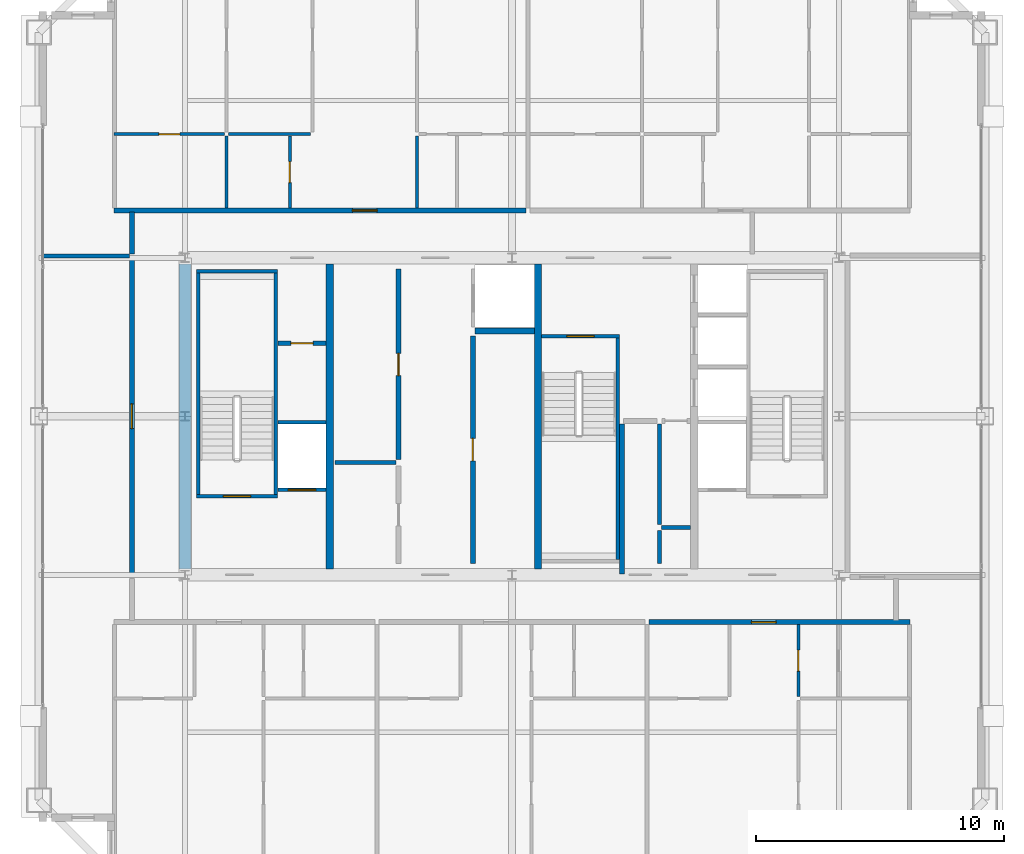
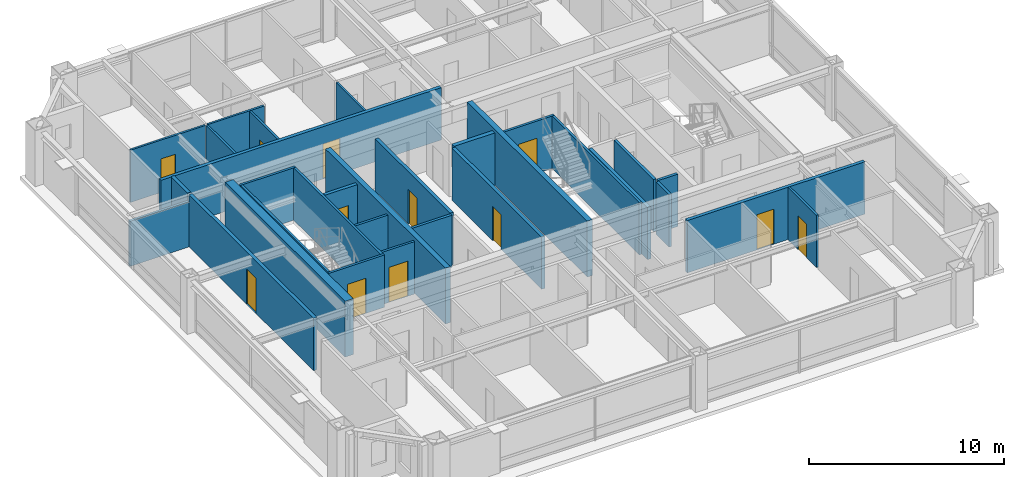
# One storey, part 31 of 35: 31 walls, 12 doors, 12 openings.
"""IFC4 building model written with IfcOpenShell, lengths in metres."""

from ifc_helpers import new_model, si_unit, direction, frame, frame_2d, origin, place, context, subcontext, project, spatial, rectangle, extrude, source, transform, mapped, material, layer, layer_set, type_object, element, fill, save


model = new_model("IFC4")

# Units and contexts
model_context = context("Model", 3, precision=1e-05, world=origin(), true_north=direction((0.0, 1.0)))
body_context = subcontext(model_context, "Body", "Model", "MODEL_VIEW")
ifc_project = project(units=[si_unit("LENGTHUNIT", "METRE"), si_unit("AREAUNIT", "SQUARE_METRE"), si_unit("VOLUMEUNIT", "CUBIC_METRE"), si_unit("PLANEANGLEUNIT", "RADIAN"), si_unit("MASSUNIT", "GRAM", prefix="KILO"), si_unit("THERMODYNAMICTEMPERATUREUNIT", "KELVIN"), si_unit("POWERUNIT", "WATT")], contexts=[model_context])

# Site, building, storey
site_placement = place(None, origin())
site = spatial("IfcSite", under=ifc_project, at=site_placement, CompositionType="ELEMENT")
building_placement = place(site_placement, origin())
building = spatial("IfcBuilding", under=site, at=building_placement, Name="Yuzanri Waterfront Tower", CompositionType="ELEMENT")
storey_placement = place(building_placement, frame((0.0, 0.0, 289.10009765625)))
storey = spatial("IfcBuildingStorey", under=building, at=storey_placement, Name="L77", CompositionType="ELEMENT", Elevation=289.10009765625)

# Wall, opening, door
ifc_material_1 = material(Name="Moisture-Resistant Gypsum Stud Wall", Category="gypsum")
ifc_layer_1 = layer(ifc_material_1, 0.1201171875)
ifc_layer_set_1 = layer_set([ifc_layer_1], Name="Moisture-Resistant Gypsum Stud Wall")
wall_type_1 = type_object("IfcWallType", Name="Bathroom and Kitchen Wet Partition 120", PredefinedType="PARTITIONING", material=ifc_layer_set_1)
wall_1_placement = place(storey_placement, frame((48.56201171875, 14.489990234375, 0.0), z_axis=(0.0, 0.0, 1.0), x_axis=(0.0, 1.0, 0.0)))
wall_1 = element("IfcWall", 1, at=wall_1_placement, inside=storey, type_object=wall_type_1, Name="L77 Partition UW-L77-HS3-SUB-4-W", PredefinedType="PARTITIONING", context=body_context, shape_type="SweptSolid", body=[
    extrude(rectangle(XDim=2.89990234375, YDim=0.1201171875, at=frame_2d((1.449951171875, 0.0))), origin(), (0.0, 0.0, 1.0), 3.27978515625),
])
opening_1_placement = place(wall_1_placement, frame((1.02490234375, 0.0, 0.0)))
opening_1 = element("IfcOpeningElement", 2, at=opening_1_placement, cuts=wall_1, Name="Opening ID-0850", PredefinedType="OPENING", context=body_context, shape_type="SweptSolid", body=[
    extrude(rectangle(XDim=0.85009765625, YDim=2.10009765625, at=frame_2d((0.425048828125, 1.050048828125))), frame((0.0, 0.074951171875, 0.0), z_axis=(0.0, -1.0, 0.0), x_axis=(1.0, 0.0, 0.0)), (0.0, 0.0, 1.0), 0.14990234375),
])
ifc_material_2 = material(Name="Moisture-Resistant Lacquered Timber", Category="wood")
door_type_1 = type_object("IfcDoorType", Name="En-Suite Bathroom and Kitchen Swing Door 850x2100", OperationType="NOTDEFINED", PredefinedType="DOOR", material=ifc_material_2)
shared_shape_1 = source(origin(), body_context, "Body", "SweptSolid", [
    extrude(rectangle(XDim=0.85009765625, YDim=2.10009765625, at=frame_2d((0.425048828125, 1.050048828125))), frame((0.0, 0.02490234375, 0.0), z_axis=(0.0, -1.0, 0.0), x_axis=(1.0, 0.0, 0.0)), (0.0, 0.0, 1.0), 0.050048828125),
])
door_1_placement = place(opening_1_placement, origin())
door_1 = element("IfcDoor", 3, at=door_1_placement, inside=storey, type_object=door_type_1, Name="L77 Suite Interior Room Door", OperationType="SINGLE_SWING_LEFT", OverallHeight=2.10009765625, OverallWidth=0.85009765625, PredefinedType="DOOR", context=body_context, shape_type="MappedRepresentation", body=[
    mapped(shared_shape_1, transform((0.0, 0.0, 0.0), scale=1.0)),
])
fill(opening_1, door_1)

wall_2_placement = place(storey_placement, frame((20.93994140625, 37.18994140625, 0.0), z_axis=(0.0, 0.0, 1.0), x_axis=(1.0, 0.0, 0.0)))
wall_2 = element("IfcWall", 4, at=wall_2_placement, inside=storey, type_object=wall_type_1, Name="L77 Partition UW-L77-HN1-SUB-1-N", PredefinedType="PARTITIONING", context=body_context, shape_type="SweptSolid", body=[
    extrude(rectangle(XDim=4.449951171875, YDim=0.1201171875, at=frame_2d((2.22509765625, 0.0))), origin(), (0.0, 0.0, 1.0), 3.27978515625),
])
opening_2_placement = place(wall_2_placement, frame((1.800048828125, 0.0, 0.0)))
opening_2 = element("IfcOpeningElement", 5, at=opening_2_placement, cuts=wall_2, Name="Opening ID-0850", PredefinedType="OPENING", context=body_context, shape_type="SweptSolid", body=[
    extrude(rectangle(XDim=0.85009765625, YDim=2.10009765625, at=frame_2d((0.425048828125, 1.050048828125))), frame((0.0, 0.074951171875, 0.0), z_axis=(0.0, -1.0, 0.0), x_axis=(1.0, 0.0, 0.0)), (0.0, 0.0, 1.0), 0.14990234375),
])
door_2_placement = place(opening_2_placement, origin())
door_2 = element("IfcDoor", 6, at=door_2_placement, inside=storey, type_object=door_type_1, Name="L77 Suite Interior Room Door", OperationType="SINGLE_SWING_LEFT", OverallHeight=2.10009765625, OverallWidth=0.85009765625, PredefinedType="DOOR", context=body_context, shape_type="MappedRepresentation", body=[
    mapped(shared_shape_1, transform((0.0, 0.0, 0.0), scale=1.0)),
])
fill(opening_2, door_2)

wall_3_placement = place(storey_placement, frame((28.030029296875, 34.2099609375, 0.0), z_axis=(0.0, 0.0, 1.0), x_axis=(0.0, 1.0, 0.0)))
wall_3 = element("IfcWall", 7, at=wall_3_placement, inside=storey, type_object=wall_type_1, Name="L77 Partition UW-L77-HN1-SUB-2-E", PredefinedType="PARTITIONING", context=body_context, shape_type="SweptSolid", body=[
    extrude(rectangle(XDim=2.900146484375, YDim=0.1201171875, at=frame_2d((1.4501953125, 0.0))), origin(), (0.0, 0.0, 1.0), 3.27978515625),
])
opening_3_placement = place(wall_3_placement, frame((1.02490234375, 0.0, 0.0)))
opening_3 = element("IfcOpeningElement", 8, at=opening_3_placement, cuts=wall_3, Name="Opening ID-0850", PredefinedType="OPENING", context=body_context, shape_type="SweptSolid", body=[
    extrude(rectangle(XDim=0.85009765625, YDim=2.10009765625, at=frame_2d((0.425048828125, 1.050048828125))), frame((0.0, 0.074951171875, 0.0), z_axis=(0.0, -1.0, 0.0), x_axis=(1.0, 0.0, 0.0)), (0.0, 0.0, 1.0), 0.14990234375),
])
door_3_placement = place(opening_3_placement, origin())
door_3 = element("IfcDoor", 9, at=door_3_placement, inside=storey, type_object=door_type_1, Name="L77 Suite Interior Room Door", OperationType="SINGLE_SWING_RIGHT", OverallHeight=2.10009765625, OverallWidth=0.85009765625, PredefinedType="DOOR", context=body_context, shape_type="MappedRepresentation", body=[
    mapped(shared_shape_1, transform((0.0, 0.0, 0.0), scale=1.0)),
])
fill(opening_3, door_3)

ifc_material_3 = material(Name="Concrete C40", Category="concrete")
ifc_layer_2 = layer(ifc_material_3, 0.139892578125)
ifc_layer_set_2 = layer_set([ifc_layer_2], Name="Concrete C40")
wall_type_2 = type_object("IfcWallType", Name="Core Stair Liner and Hoistway Shaft Wall 140", PredefinedType="SOLIDWALL", material=ifc_layer_set_2)
wall_4_placement = place(storey_placement, frame((27.56005859375, 22.830078125, 0.0), z_axis=(0.0, 0.0, 1.0), x_axis=(1.0, 0.0, 0.0)))
wall_4 = element("IfcWall", 10, at=wall_4_placement, inside=storey, type_object=wall_type_2, Name="L77 Lift FL-01 Front Shaft Wall", PredefinedType="SOLIDWALL", context=body_context, shape_type="SweptSolid", body=[
    extrude(rectangle(XDim=1.919921875, YDim=0.139892578125, at=frame_2d((0.9599609375, 0.0))), origin(), (0.0, 0.0, 1.0), 3.27978515625),
])
opening_4_placement = place(wall_4_placement, frame((0.409912109375, 0.0, 0.0)))
opening_4 = element("IfcOpeningElement", 11, at=opening_4_placement, cuts=wall_4, Name="Opening LD-FL-01", PredefinedType="OPENING", context=body_context, shape_type="SweptSolid", body=[
    extrude(rectangle(XDim=1.10009765625, YDim=2.199951171875, at=frame_2d((0.550048828125, 1.10009765625))), frame((0.0, 0.0849609375, 0.0), z_axis=(0.0, -1.0, 0.0), x_axis=(1.0, 0.0, 0.0)), (0.0, 0.0, 1.0), 0.169677734375),
])
ifc_material_4 = material(Name="Brushed Bronze and Stainless Steel Cab", Category="steel")
door_type_2 = type_object("IfcDoorType", Name="Center-Parting Bronze Lift Landing Sliding Door 1100x2200", OperationType="NOTDEFINED", PredefinedType="DOOR", material=ifc_material_4)
shared_shape_2 = source(origin(), body_context, "Body", "SweptSolid", [
    extrude(rectangle(XDim=1.10009765625, YDim=2.199951171875, at=frame_2d((0.550048828125, 1.10009765625))), frame((0.0, 0.02490234375, 0.0), z_axis=(0.0, -1.0, 0.0), x_axis=(1.0, 0.0, 0.0)), (0.0, 0.0, 1.0), 0.050048828125),
])
door_4_placement = place(opening_4_placement, origin())
door_4 = element("IfcDoor", 12, at=door_4_placement, inside=storey, type_object=door_type_2, Name="L77 FL-01 Lift Landing Sliding Door", OperationType="SLIDING_TO_LEFT", OverallHeight=2.199951171875, OverallWidth=1.10009765625, PredefinedType="DOOR", context=body_context, shape_type="MappedRepresentation", body=[
    mapped(shared_shape_2, transform((0.0, 0.0, 0.0), scale=1.0)),
])
fill(opening_4, door_4)

wall_5_placement = place(storey_placement, frame((24.260009765625, 22.570068359375, 0.0), z_axis=(0.0, 0.0, 1.0), x_axis=(1.0, 0.0, 0.0)))
wall_5 = element("IfcWall", 13, at=wall_5_placement, inside=storey, type_object=wall_type_2, Name="L77 Shaft Wall STW-L77-ST-01-S", PredefinedType="SOLIDWALL", context=body_context, shape_type="SweptSolid", body=[
    extrude(rectangle(XDim=3.280029296875, YDim=0.139892578125, at=frame_2d((1.64013671875, 0.0))), origin(), (0.0, 0.0, 1.0), 3.27978515625),
])
opening_5_placement = place(wall_5_placement, frame((1.090087890625, 0.0, 0.0)))
opening_5 = element("IfcOpeningElement", 14, at=opening_5_placement, cuts=wall_5, Name="Opening FD-1100", PredefinedType="OPENING", context=body_context, shape_type="SweptSolid", body=[
    extrude(rectangle(XDim=1.10009765625, YDim=2.199951171875, at=frame_2d((0.550048828125, 1.10009765625))), frame((0.0, 0.0849609375, 0.0), z_axis=(0.0, -1.0, 0.0), x_axis=(1.0, 0.0, 0.0)), (0.0, 0.0, 1.0), 0.169677734375),
])
ifc_material_5 = material(Name="Painted Galvanized Fire Steel", Category="steel")
door_type_3 = type_object("IfcDoorType", Name="Smoke-Proof Stair and Lobby Fire Door 1100x2200", OperationType="NOTDEFINED", PredefinedType="DOOR", material=ifc_material_5)
shared_shape_3 = source(origin(), body_context, "Body", "SweptSolid", [
    extrude(rectangle(XDim=1.10009765625, YDim=2.199951171875, at=frame_2d((0.550048828125, 1.10009765625))), frame((0.0, 0.02490234375, 0.0), z_axis=(0.0, -1.0, 0.0), x_axis=(1.0, 0.0, 0.0)), (0.0, 0.0, 1.0), 0.050048828125),
])
door_5_placement = place(opening_5_placement, origin())
door_5 = element("IfcDoor", 15, at=door_5_placement, inside=storey, type_object=door_type_3, Name="L77 Stair ST-01 Fire Door", OperationType="SINGLE_SWING_RIGHT", OverallHeight=2.199951171875, OverallWidth=1.10009765625, PredefinedType="DOOR", context=body_context, shape_type="MappedRepresentation", body=[
    mapped(shared_shape_3, transform((0.0, 0.0, 0.0), scale=1.0)),
])
fill(opening_5, door_5)

wall_6_placement = place(storey_placement, frame((38.199951171875, 29.030029296875, 0.0), z_axis=(0.0, 0.0, 1.0), x_axis=(1.0, 0.0, 0.0)))
wall_6 = element("IfcWall", 16, at=wall_6_placement, inside=storey, type_object=wall_type_2, Name="L77 Shaft Wall STW-L77-ST-03-N", PredefinedType="SOLIDWALL", context=body_context, shape_type="SweptSolid", body=[
    extrude(rectangle(XDim=3.14013671875, YDim=0.139892578125, at=frame_2d((1.570068359375, 0.0))), origin(), (0.0, 0.0, 1.0), 3.27978515625),
])
opening_6_placement = place(wall_6_placement, frame((1.02001953125, 0.0, 0.0)))
opening_6 = element("IfcOpeningElement", 17, at=opening_6_placement, cuts=wall_6, Name="Opening FD-1100", PredefinedType="OPENING", context=body_context, shape_type="SweptSolid", body=[
    extrude(rectangle(XDim=1.10009765625, YDim=2.199951171875, at=frame_2d((0.550048828125, 1.10009765625))), frame((0.0, 0.0849609375, 0.0), z_axis=(0.0, -1.0, 0.0), x_axis=(1.0, 0.0, 0.0)), (0.0, 0.0, 1.0), 0.169677734375),
])
door_6_placement = place(opening_6_placement, origin())
door_6 = element("IfcDoor", 18, at=door_6_placement, inside=storey, type_object=door_type_3, Name="L77 Stair ST-03 Fire Door", OperationType="SINGLE_SWING_RIGHT", OverallHeight=2.199951171875, OverallWidth=1.10009765625, PredefinedType="DOOR", context=body_context, shape_type="MappedRepresentation", body=[
    mapped(shared_shape_3, transform((0.0, 0.0, 0.0), scale=1.0)),
])
fill(opening_6, door_6)

ifc_material_6 = material(Name="Autoclaved Aerated Concrete Blockwork", Category="masonry")
ifc_layer_3 = layer(ifc_material_6, 0.199951171875)
ifc_layer_set_3 = layer_set([ifc_layer_3], Name="Autoclaved Aerated Concrete Blockwork")
wall_type_3 = type_object("IfcWallType", Name="Corridor and Unit Party Fire Wall 200", PredefinedType="PARTITIONING", material=ifc_layer_set_3)
wall_7_placement = place(storey_placement, frame((27.56005859375, 28.75, 0.0), z_axis=(0.0, 0.0, 1.0), x_axis=(1.0, 0.0, 0.0)))
wall_7 = element("IfcWall", 19, at=wall_7_placement, inside=storey, type_object=wall_type_3, Name="L77 Partition CRW-L77-ERTR", PredefinedType="PARTITIONING", context=body_context, shape_type="SweptSolid", body=[
    extrude(rectangle(XDim=1.919921875, YDim=0.199951171875, at=frame_2d((0.9599609375, 0.0))), origin(), (0.0, 0.0, 1.0), 3.27978515625),
])
opening_7_placement = place(wall_7_placement, frame((0.510009765625, 0.0, 0.0)))
opening_7 = element("IfcOpeningElement", 20, at=opening_7_placement, cuts=wall_7, Name="Opening FD-0900", PredefinedType="OPENING", context=body_context, shape_type="SweptSolid", body=[
    extrude(rectangle(XDim=0.89990234375, YDim=2.14990234375, at=frame_2d((0.449951171875, 1.074951171875))), frame((0.0, 0.11474609375, 0.0), z_axis=(0.0, -1.0, 0.0), x_axis=(1.0, 0.0, 0.0)), (0.0, 0.0, 1.0), 0.229736328125),
])
ifc_material_7 = material(Name="Painted Galvanized Fire Steel", Category="steel")
door_type_4 = type_object("IfcDoorType", Name="Riser and Service Room Fire Door 900x2150", OperationType="NOTDEFINED", PredefinedType="DOOR", material=ifc_material_7)
shared_shape_4 = source(origin(), body_context, "Body", "SweptSolid", [
    extrude(rectangle(XDim=0.89990234375, YDim=2.14990234375, at=frame_2d((0.449951171875, 1.074951171875))), frame((0.0, 0.02490234375, 0.0), z_axis=(0.0, -1.0, 0.0), x_axis=(1.0, 0.0, 0.0)), (0.0, 0.0, 1.0), 0.050048828125),
])
door_7_placement = place(opening_7_placement, origin())
door_7 = element("IfcDoor", 21, at=door_7_placement, inside=storey, type_object=door_type_4, Name="L77 Electrical Riser Door", OperationType="SINGLE_SWING_RIGHT", OverallHeight=2.14990234375, OverallWidth=0.89990234375, PredefinedType="DOOR", context=body_context, shape_type="MappedRepresentation", body=[
    mapped(shared_shape_4, transform((0.0, 0.0, 0.0), scale=1.0)),
])
fill(opening_7, door_7)

wall_8_placement = place(storey_placement, frame((32.419921875, 24.050048828125, 0.0), z_axis=(0.0, 0.0, 1.0), x_axis=(0.0, 1.0, 0.0)))
wall_8 = element("IfcWall", 22, at=wall_8_placement, inside=storey, type_object=wall_type_3, Name="L77 Partition CRW-L77-B1R-2", PredefinedType="PARTITIONING", context=body_context, shape_type="SweptSolid", body=[
    extrude(rectangle(XDim=7.68994140625, YDim=0.199951171875, at=frame_2d((3.844970703125, 0.0))), origin(), (0.0, 0.0, 1.0), 3.27978515625),
])
opening_8_placement = place(wall_8_placement, frame((3.39501953125, 0.0, 0.0)))
opening_8 = element("IfcOpeningElement", 23, at=opening_8_placement, cuts=wall_8, Name="Opening FD-0900", PredefinedType="OPENING", context=body_context, shape_type="SweptSolid", body=[
    extrude(rectangle(XDim=0.89990234375, YDim=2.14990234375, at=frame_2d((0.449951171875, 1.074951171875))), frame((0.0, 0.11474609375, 0.0), z_axis=(0.0, -1.0, 0.0), x_axis=(1.0, 0.0, 0.0)), (0.0, 0.0, 1.0), 0.229736328125),
])
door_8_placement = place(opening_8_placement, origin())
door_8 = element("IfcDoor", 24, at=door_8_placement, inside=storey, type_object=door_type_4, Name="L77 Common Store Room", OperationType="SINGLE_SWING_RIGHT", OverallHeight=2.14990234375, OverallWidth=0.89990234375, PredefinedType="DOOR", context=body_context, shape_type="MappedRepresentation", body=[
    mapped(shared_shape_4, transform((0.0, 0.0, 0.0), scale=1.0)),
])
fill(opening_8, door_8)

wall_9_placement = place(storey_placement, frame((35.419921875, 19.860107421875, 0.0), z_axis=(0.0, 0.0, 1.0), x_axis=(0.0, 1.0, 0.0)))
wall_9 = element("IfcWall", 25, at=wall_9_placement, inside=storey, type_object=wall_type_3, Name="L77 Partition CRW-L77-B2R-1", PredefinedType="PARTITIONING", context=body_context, shape_type="SweptSolid", body=[
    extrude(rectangle(XDim=9.18994140625, YDim=0.199951171875, at=frame_2d((4.594970703125, 0.0))), origin(), (0.0, 0.0, 1.0), 3.27978515625),
])
opening_9_placement = place(wall_9_placement, frame((4.14501953125, 0.0, 0.0)))
opening_9 = element("IfcOpeningElement", 26, at=opening_9_placement, cuts=wall_9, Name="Opening FD-0900", PredefinedType="OPENING", context=body_context, shape_type="SweptSolid", body=[
    extrude(rectangle(XDim=0.89990234375, YDim=2.14990234375, at=frame_2d((0.449951171875, 1.074951171875))), frame((0.0, 0.11474609375, 0.0), z_axis=(0.0, -1.0, 0.0), x_axis=(1.0, 0.0, 0.0)), (0.0, 0.0, 1.0), 0.229736328125),
])
door_9_placement = place(opening_9_placement, origin())
door_9 = element("IfcDoor", 27, at=door_9_placement, inside=storey, type_object=door_type_4, Name="L77 Upper General Store Room", OperationType="SINGLE_SWING_LEFT", OverallHeight=2.14990234375, OverallWidth=0.89990234375, PredefinedType="DOOR", context=body_context, shape_type="MappedRepresentation", body=[
    mapped(shared_shape_4, transform((0.0, 0.0, 0.0), scale=1.0)),
])
fill(opening_9, door_9)

wall_10_placement = place(storey_placement, frame((42.5400390625, 17.489990234375, 0.0), z_axis=(0.0, 0.0, 1.0), x_axis=(1.0, 0.0, 0.0)))
wall_10 = element("IfcWall", 28, at=wall_10_placement, inside=storey, type_object=wall_type_3, Name="L77 Partition UW-L77-HS3-CN", PredefinedType="PARTITIONING", context=body_context, shape_type="SweptSolid", body=[
    extrude(rectangle(XDim=10.52001953125, YDim=0.199951171875, at=frame_2d((5.260009765625, 0.0))), origin(), (0.0, 0.0, 1.0), 3.27978515625),
])
opening_10_placement = place(wall_10_placement, frame((4.12890625, 0.0, 0.0)))
opening_10 = element("IfcOpeningElement", 29, at=opening_10_placement, cuts=wall_10, Name="Opening FD-1000", PredefinedType="OPENING", context=body_context, shape_type="SweptSolid", body=[
    extrude(rectangle(XDim=1.0, YDim=2.199951171875, at=frame_2d((0.5, 1.10009765625))), frame((0.0, 0.11474609375, 0.0), z_axis=(0.0, -1.0, 0.0), x_axis=(1.0, 0.0, 0.0)), (0.0, 0.0, 1.0), 0.229736328125),
])
ifc_material_8 = material(Name="Engineered Oak Fire-Rated Timber", Category="wood")
door_type_5 = type_object("IfcDoorType", Name="Guestroom and Apartment Entrance Fire Door 1000x2200", OperationType="NOTDEFINED", PredefinedType="DOOR", material=ifc_material_8)
shared_shape_5 = source(origin(), body_context, "Body", "SweptSolid", [
    extrude(rectangle(XDim=1.0, YDim=2.199951171875, at=frame_2d((0.5, 1.10009765625))), frame((0.0, 0.02490234375, 0.0), z_axis=(0.0, -1.0, 0.0), x_axis=(1.0, 0.0, 0.0)), (0.0, 0.0, 1.0), 0.050048828125),
])
door_10_placement = place(opening_10_placement, origin())
door_10 = element("IfcDoor", 30, at=door_10_placement, inside=storey, type_object=door_type_5, Name="L77 Apartment Living Room Entrance Door", OperationType="SINGLE_SWING_LEFT", OverallHeight=2.199951171875, OverallWidth=1.0, PredefinedType="DOOR", context=body_context, shape_type="MappedRepresentation", body=[
    mapped(shared_shape_5, transform((0.0, 0.0, 0.0), scale=1.0)),
])
fill(opening_10, door_10)

wall_11_placement = place(storey_placement, frame((20.93994140625, 34.110107421875, 0.0), z_axis=(0.0, 0.0, 1.0), x_axis=(1.0, 0.0, 0.0)))
wall_11 = element("IfcWall", 31, at=wall_11_placement, inside=storey, type_object=wall_type_3, Name="L77 Partition UW-L77-HN1-CS", PredefinedType="PARTITIONING", context=body_context, shape_type="SweptSolid", body=[
    extrude(rectangle(XDim=16.6220703125, YDim=0.199951171875, at=frame_2d((8.31103515625, 0.0))), origin(), (0.0, 0.0, 1.0), 3.27978515625),
])
opening_11_placement = place(wall_11_placement, frame((9.611083984375, 0.0, 0.0)))
opening_11 = element("IfcOpeningElement", 32, at=opening_11_placement, cuts=wall_11, Name="Opening FD-1000", PredefinedType="OPENING", context=body_context, shape_type="SweptSolid", body=[
    extrude(rectangle(XDim=1.0, YDim=2.199951171875, at=frame_2d((0.5, 1.10009765625))), frame((0.0, 0.11474609375, 0.0), z_axis=(0.0, -1.0, 0.0), x_axis=(1.0, 0.0, 0.0)), (0.0, 0.0, 1.0), 0.229736328125),
])
door_11_placement = place(opening_11_placement, origin())
door_11 = element("IfcDoor", 33, at=door_11_placement, inside=storey, type_object=door_type_5, Name="L77 Apartment Living and Dining Salon Entrance Door", OperationType="SINGLE_SWING_RIGHT", OverallHeight=2.199951171875, OverallWidth=1.0, PredefinedType="DOOR", context=body_context, shape_type="MappedRepresentation", body=[
    mapped(shared_shape_5, transform((0.0, 0.0, 0.0), scale=1.0)),
])
fill(opening_11, door_11)

wall_12_placement = place(storey_placement, frame((21.64990234375, 19.409912109375, 0.0), z_axis=(0.0, 0.0, 1.0), x_axis=(0.0, 1.0, 0.0)))
wall_12 = element("IfcWall", 34, at=wall_12_placement, inside=storey, type_object=wall_type_3, Name="L77 Partition UW-L77-050-CW", PredefinedType="PARTITIONING", context=body_context, shape_type="SweptSolid", body=[
    extrude(rectangle(XDim=12.780029296875, YDim=0.199951171875, at=frame_2d((6.39013671875, 0.0))), origin(), (0.0, 0.0, 1.0), 3.27978515625),
])
opening_12_placement = place(wall_12_placement, frame((5.889892578125, 0.0, 0.0)))
opening_12 = element("IfcOpeningElement", 35, at=opening_12_placement, cuts=wall_12, Name="Opening FD-1000", PredefinedType="OPENING", context=body_context, shape_type="SweptSolid", body=[
    extrude(rectangle(XDim=1.0, YDim=2.199951171875, at=frame_2d((0.5, 1.10009765625))), frame((0.0, 0.11474609375, 0.0), z_axis=(0.0, -1.0, 0.0), x_axis=(1.0, 0.0, 0.0)), (0.0, 0.0, 1.0), 0.229736328125),
])
door_12_placement = place(opening_12_placement, origin())
door_12 = element("IfcDoor", 36, at=door_12_placement, inside=storey, type_object=door_type_5, Name="L77 High-Rise W Boardroom Meeting Room Entrance Door", OperationType="SINGLE_SWING_LEFT", OverallHeight=2.199951171875, OverallWidth=1.0, PredefinedType="DOOR", context=body_context, shape_type="MappedRepresentation", body=[
    mapped(shared_shape_5, transform((0.0, 0.0, 0.0), scale=1.0)),
])
fill(opening_12, door_12)

# Walls
ifc_material_9 = material(Name="Concrete C45", Category="concrete")
ifc_layer_4 = layer(ifc_material_9, 0.47998046875)
ifc_layer_set_4 = layer_set([ifc_layer_4], Name="Concrete C45")
wall_type_4 = type_object("IfcWallType", Name="Concrete C45 High-Rise Core Shear Wall 480", PredefinedType="SHEAR", material=ifc_layer_set_4)
shared_shape_6 = source(origin(), body_context, "Body", "SweptSolid", [
    extrude(rectangle(XDim=12.320068359375, YDim=0.47998046875, at=frame_2d((6.16015625, 0.0))), origin(), (0.0, 0.0, 1.0), 3.5),
])
wall_13_placement = place(storey_placement, frame((23.800048828125, 19.639892578125, 0.0), z_axis=(0.0, 0.0, 1.0), x_axis=(0.0, 1.0, 0.0)))
element("IfcWall", 37, at=wall_13_placement, inside=storey, type_object=wall_type_4, Name="L77 Core West Shear Wall", PredefinedType="SHEAR", context=body_context, shape_type="MappedRepresentation", body=[
    mapped(shared_shape_6, transform((0.0, 0.0, 0.0), scale=1.0)),
])
ifc_material_10 = material(Name="Concrete C50", Category="concrete")
ifc_layer_5 = layer(ifc_material_10, 0.300048828125)
ifc_layer_set_5 = layer_set([ifc_layer_5], Name="Concrete C50")
wall_type_5 = type_object("IfcWallType", Name="Concrete C50 Internal Core Shaft Structural Wall 300", PredefinedType="SOLIDWALL", material=ifc_layer_set_5)
shared_shape_7 = source(origin(), body_context, "Body", "SweptSolid", [
    extrude(rectangle(XDim=12.320068359375, YDim=0.300048828125, at=frame_2d((6.16015625, 0.0))), origin(), (0.0, 0.0, 1.0), 3.5),
])
for number, where, z_axis, x_axis, name in (
    (38, (29.64990234375, 19.639892578125, 0.0), (0.0, 0.0, 1.0), (0.0, 1.0, 0.0), "L77 Core Internal Structural Web Wall 1"),
    (39, (38.050048828125, 19.639892578125, 0.0), (0.0, 0.0, 1.0), (0.0, 1.0, 0.0), "L77 Core Internal Structural Web Wall 2"),
):
    element("IfcWall", number, at=place(storey_placement, frame(where, z_axis=z_axis, x_axis=x_axis)), inside=storey, type_object=wall_type_5, Name=name, PredefinedType="SOLIDWALL", context=body_context, shape_type="MappedRepresentation", body=[
        mapped(shared_shape_7, transform((0.0, 0.0, 0.0), scale=1.0)),
    ])
shared_shape_8 = source(origin(), body_context, "Body", "SweptSolid", [
    extrude(rectangle(XDim=1.919921875, YDim=0.139892578125, at=frame_2d((0.9599609375, 0.0))), origin(), (0.0, 0.0, 1.0), 3.27978515625),
])
wall_14_placement = place(storey_placement, frame((27.56005859375, 25.570068359375, 0.0), z_axis=(0.0, 0.0, 1.0), x_axis=(1.0, 0.0, 0.0)))
element("IfcWall", 40, at=wall_14_placement, inside=storey, type_object=wall_type_2, Name="L77 Lift FL-01 Back Shaft Wall", PredefinedType="SOLIDWALL", context=body_context, shape_type="MappedRepresentation", body=[
    mapped(shared_shape_8, transform((0.0, 0.0, 0.0), scale=1.0)),
])
ifc_material_11 = material(Name="Concrete C40", Category="concrete")
ifc_layer_6 = layer(ifc_material_11, 0.25)
ifc_layer_set_6 = layer_set([ifc_layer_6], Name="Concrete C40")
wall_type_6 = type_object("IfcWallType", Name="Smoke-Proof Stair and Lift Shaft Wall 250", PredefinedType="SOLIDWALL", material=ifc_layer_set_6)
shared_shape_9 = source(origin(), body_context, "Body", "SweptSolid", [
    extrude(rectangle(XDim=2.39990234375, YDim=0.25, at=frame_2d((1.199951171875, 0.0))), origin(), (0.0, 0.0, 1.0), 3.27978515625),
])
wall_15_placement = place(storey_placement, frame((35.5, 29.25, 0.0), z_axis=(0.0, 0.0, 1.0), x_axis=(1.0, 0.0, 0.0)))
element("IfcWall", 41, at=wall_15_placement, inside=storey, type_object=wall_type_6, Name="L77 Lift SL-02 South Shaft Wall", PredefinedType="SOLIDWALL", context=body_context, shape_type="MappedRepresentation", body=[
    mapped(shared_shape_9, transform((0.0, 0.0, 0.0), scale=1.0)),
])
shared_shape_10 = source(origin(), body_context, "Body", "SweptSolid", [
    extrude(rectangle(XDim=3.280029296875, YDim=0.139892578125, at=frame_2d((1.64013671875, 0.0))), origin(), (0.0, 0.0, 1.0), 3.27978515625),
])
wall_16_placement = place(storey_placement, frame((24.260009765625, 31.64990234375, 0.0), z_axis=(0.0, 0.0, 1.0), x_axis=(1.0, 0.0, 0.0)))
element("IfcWall", 42, at=wall_16_placement, inside=storey, type_object=wall_type_2, Name="L77 Stair ST-01 North Shaft Wall", PredefinedType="SOLIDWALL", context=body_context, shape_type="MappedRepresentation", body=[
    mapped(shared_shape_10, transform((0.0, 0.0, 0.0), scale=1.0)),
])
shared_shape_11 = source(origin(), body_context, "Body", "SweptSolid", [
    extrude(rectangle(XDim=8.940185546875, YDim=0.139892578125, at=frame_2d((4.47021484375, 0.0))), origin(), (0.0, 0.0, 1.0), 3.27978515625),
])
for number, where, z_axis, x_axis, name in (
    (43, (24.330078125, 22.639892578125, 0.0), (0.0, 0.0, 1.0), (0.0, 1.0, 0.0), "L77 Stair ST-01 West Shaft Wall"),
    (44, (27.469970703125, 22.639892578125, 0.0), (0.0, 0.0, 1.0), (0.0, 1.0, 0.0), "L77 Stair ST-01 East Shaft Wall"),
):
    element("IfcWall", number, at=place(storey_placement, frame(where, z_axis=z_axis, x_axis=x_axis)), inside=storey, type_object=wall_type_2, Name=name, PredefinedType="SOLIDWALL", context=body_context, shape_type="MappedRepresentation", body=[
        mapped(shared_shape_11, transform((0.0, 0.0, 0.0), scale=1.0)),
    ])
shared_shape_12 = source(origin(), body_context, "Body", "SweptSolid", [
    extrude(rectangle(XDim=8.93994140625, YDim=0.139892578125, at=frame_2d((4.469970703125, 0.0))), origin(), (0.0, 0.0, 1.0), 3.27978515625),
])
wall_17_placement = place(storey_placement, frame((41.27001953125, 20.02001953125, 0.0), z_axis=(0.0, 0.0, 1.0), x_axis=(0.0, 1.0, 0.0)))
element("IfcWall", 45, at=wall_17_placement, inside=storey, type_object=wall_type_2, Name="L77 Stair ST-03 East Shaft Wall", PredefinedType="SOLIDWALL", context=body_context, shape_type="MappedRepresentation", body=[
    mapped(shared_shape_12, transform((0.0, 0.0, 0.0), scale=1.0)),
])
ifc_material_12 = material(Name="Gypsum Fireboard Acoustic Stud Wall", Category="gypsum")
ifc_layer_7 = layer(ifc_material_12, 0.159912109375)
ifc_layer_set_7 = layer_set([ifc_layer_7], Name="Gypsum Fireboard Acoustic Stud Wall")
wall_type_7 = type_object("IfcWallType", Name="Acoustic Suite Demising Partition 160", PredefinedType="PARTITIONING", material=ifc_layer_set_7)
shared_shape_13 = source(origin(), body_context, "Body", "SweptSolid", [
    extrude(rectangle(XDim=2.469970703125, YDim=0.159912109375, at=frame_2d((1.23486328125, 0.0))), origin(), (0.0, 0.0, 1.0), 3.27978515625),
])
wall_18_placement = place(storey_placement, frame((29.85009765625, 23.929931640625, 0.0), z_axis=(0.0, 0.0, 1.0), x_axis=(1.0, 0.0, 0.0)))
element("IfcWall", 46, at=wall_18_placement, inside=storey, type_object=wall_type_7, Name="L77 Reclaimed Core Divider 2", PredefinedType="PARTITIONING", context=body_context, shape_type="MappedRepresentation", body=[
    mapped(shared_shape_13, transform((0.0, 0.0, 0.0), scale=1.0)),
])
shared_shape_14 = source(origin(), body_context, "Body", "SweptSolid", [
    extrude(rectangle(XDim=1.33984375, YDim=0.159912109375, at=frame_2d((0.669921875, 0.0))), origin(), (0.0, 0.0, 1.0), 3.27978515625),
])
wall_19_placement = place(storey_placement, frame((42.949951171875, 19.860107421875, 0.0), z_axis=(0.0, 0.0, 1.0), x_axis=(0.0, 1.0, 0.0)))
element("IfcWall", 47, at=wall_19_placement, inside=storey, type_object=wall_type_7, Name="L77 East Wet Riser West Wall", PredefinedType="PARTITIONING", context=body_context, shape_type="MappedRepresentation", body=[
    mapped(shared_shape_14, transform((0.0, 0.0, 0.0), scale=1.0)),
])
shared_shape_15 = source(origin(), body_context, "Body", "SweptSolid", [
    extrude(rectangle(XDim=1.169921875, YDim=0.159912109375, at=frame_2d((0.5849609375, 0.0))), origin(), (0.0, 0.0, 1.0), 3.27978515625),
])
wall_20_placement = place(storey_placement, frame((43.030029296875, 21.320068359375, 0.0), z_axis=(0.0, 0.0, 1.0), x_axis=(1.0, 0.0, 0.0)))
element("IfcWall", 48, at=wall_20_placement, inside=storey, type_object=wall_type_7, Name="L77 East Wet Riser North Wall", PredefinedType="PARTITIONING", context=body_context, shape_type="MappedRepresentation", body=[
    mapped(shared_shape_15, transform((0.0, 0.0, 0.0), scale=1.0)),
])
shared_shape_16 = source(origin(), body_context, "Body", "SweptSolid", [
    extrude(rectangle(XDim=6.06005859375, YDim=0.199951171875, at=frame_2d((3.030029296875, 0.0))), origin(), (0.0, 0.0, 1.0), 3.27978515625),
])
wall_21_placement = place(storey_placement, frame((41.449951171875, 19.43994140625, 0.0), z_axis=(0.0, 0.0, 1.0), x_axis=(0.0, 1.0, 0.0)))
element("IfcWall", 49, at=wall_21_placement, inside=storey, type_object=wall_type_3, Name="L77 Core BOH West Wall 1", PredefinedType="PARTITIONING", context=body_context, shape_type="MappedRepresentation", body=[
    mapped(shared_shape_16, transform((0.0, 0.0, 0.0), scale=1.0)),
])
shared_shape_17 = source(origin(), body_context, "Body", "SweptSolid", [
    extrude(rectangle(XDim=4.06005859375, YDim=0.159912109375, at=frame_2d((2.030029296875, 0.0))), origin(), (0.0, 0.0, 1.0), 3.27978515625),
])
wall_22_placement = place(storey_placement, frame((42.949951171875, 21.43994140625, 0.0), z_axis=(0.0, 0.0, 1.0), x_axis=(0.0, 1.0, 0.0)))
element("IfcWall", 50, at=wall_22_placement, inside=storey, type_object=wall_type_7, Name="L77 Core BOH Mid Wall 2", PredefinedType="PARTITIONING", context=body_context, shape_type="MappedRepresentation", body=[
    mapped(shared_shape_17, transform((0.0, 0.0, 0.0), scale=1.0)),
])
shared_shape_18 = source(origin(), body_context, "Body", "SweptSolid", [
    extrude(rectangle(XDim=1.699951171875, YDim=0.199951171875, at=frame_2d((0.85009765625, 0.0))), origin(), (0.0, 0.0, 1.0), 3.27978515625),
])
wall_23_placement = place(storey_placement, frame((21.64990234375, 32.35009765625, 0.0), z_axis=(0.0, 0.0, 1.0), x_axis=(0.0, 1.0, 0.0)))
element("IfcWall", 51, at=wall_23_placement, inside=storey, type_object=wall_type_3, Name="L77 North Foyer West End Wall", PredefinedType="PARTITIONING", context=body_context, shape_type="MappedRepresentation", body=[
    mapped(shared_shape_18, transform((0.0, 0.0, 0.0), scale=1.0)),
])
shared_shape_19 = source(origin(), body_context, "Body", "SweptSolid", [
    extrude(rectangle(XDim=2.900146484375, YDim=0.1201171875, at=frame_2d((1.4501953125, 0.0))), origin(), (0.0, 0.0, 1.0), 3.27978515625),
])
for number, where, z_axis, x_axis, name in (
    (52, (25.469970703125, 34.2099609375, 0.0), (0.0, 0.0, 1.0), (0.0, 1.0, 0.0), "L77 Partition UW-L77-HN1-SUB-1-E"),
    (53, (33.159912109375, 34.2099609375, 0.0), (0.0, 0.0, 1.0), (0.0, 1.0, 0.0), "L77 Partition UW-L77-HN1-SUB-4-W"),
):
    element("IfcWall", number, at=place(storey_placement, frame(where, z_axis=z_axis, x_axis=x_axis)), inside=storey, type_object=wall_type_1, Name=name, PredefinedType="PARTITIONING", context=body_context, shape_type="MappedRepresentation", body=[
        mapped(shared_shape_19, transform((0.0, 0.0, 0.0), scale=1.0)),
    ])
shared_shape_20 = source(origin(), body_context, "Body", "SweptSolid", [
    extrude(rectangle(XDim=3.31298828125, YDim=0.1201171875, at=frame_2d((1.656494140625, 0.0))), origin(), (0.0, 0.0, 1.0), 3.27978515625),
])
wall_24_placement = place(storey_placement, frame((25.550048828125, 37.18994140625, 0.0), z_axis=(0.0, 0.0, 1.0), x_axis=(1.0, 0.0, 0.0)))
element("IfcWall", 54, at=wall_24_placement, inside=storey, type_object=wall_type_1, Name="L77 Partition UW-L77-HN1-SUB-7-S", PredefinedType="PARTITIONING", context=body_context, shape_type="MappedRepresentation", body=[
    mapped(shared_shape_20, transform((0.0, 0.0, 0.0), scale=1.0)),
])
shared_shape_21 = source(origin(), body_context, "Body", "SweptSolid", [
    extrude(rectangle(XDim=3.5, YDim=0.159912109375, at=frame_2d((1.75, 0.0))), origin(), (0.0, 0.0, 1.0), 2.824951171875),
])
wall_25_placement = place(storey_placement, frame((18.050048828125, 32.27001953125, 0.0), z_axis=(0.0, 0.0, 1.0), x_axis=(1.0, 0.0, 0.0)))
element("IfcWall", 55, at=wall_25_placement, inside=storey, type_object=wall_type_7, Name="L77-050 Wing North End Wall", PredefinedType="PARTITIONING", context=body_context, shape_type="MappedRepresentation", body=[
    mapped(shared_shape_21, transform((0.0, 0.0, 0.0), scale=1.0)),
])

save(model, "model.ifc")
